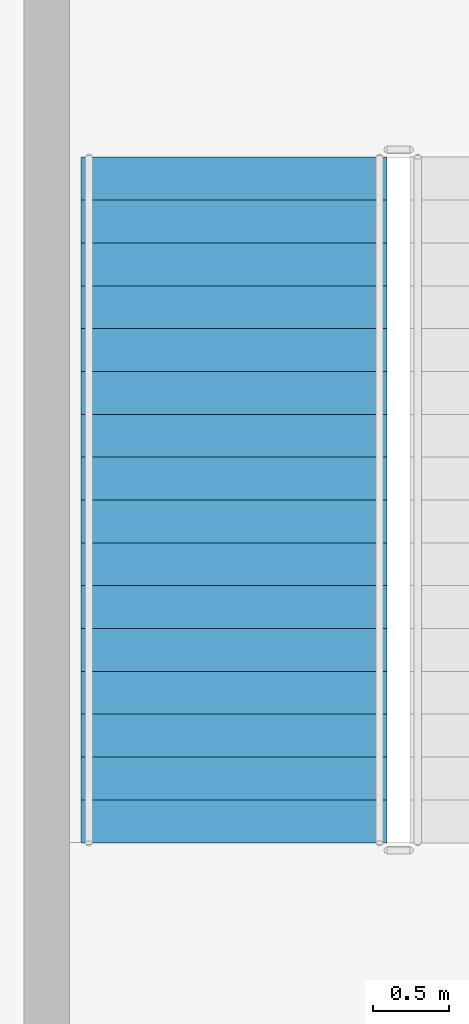
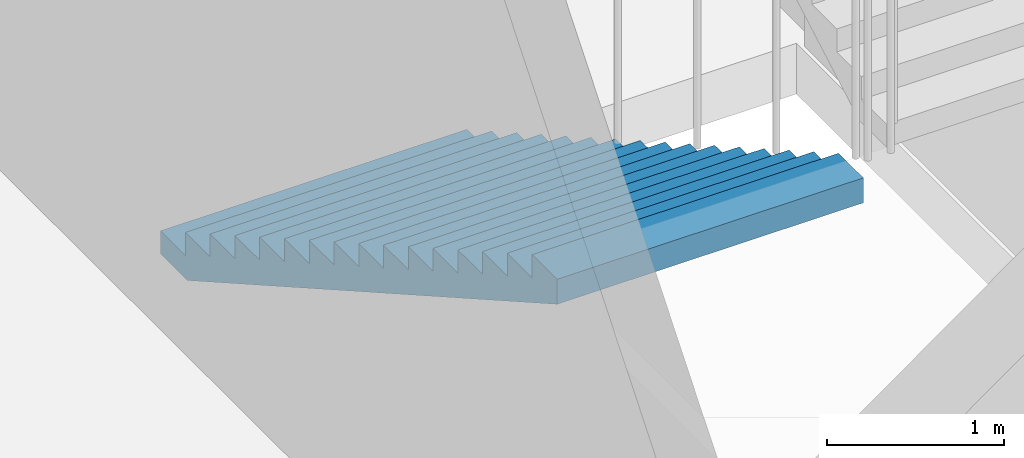
# One storey, part 14 of 18: 1 stair flight, 1 element without a shape of its own.
"""IFC4 building model written with IfcOpenShell, lengths in metres."""

import ifcopenshell
import ifcopenshell.guid

model = None  # the IFC model being written
_history = None  # IfcOwnerHistory: only IFC2X3 demands one
_inside = {}  # id of a spatial element -> (the spatial element, [elements in it])
_under = {}  # id of a project, library or spatial element -> (it, [spatial elements below it])
_declared = {}  # id of a project -> (the project, [libraries it declares])
_typed = {}  # id of a type object -> (the type object, [elements of that type])
_made_of = {}  # id of a material, layer set ... -> (it, [elements and type objects made of it])


def new_model(schema):
    """Start an empty IFC model of exactly this schema.

    Asked for "IFC4X3", IfcOpenShell would pick the latest addendum, in which some entities
    have other attributes; the version numbers below select the first issue.
    IFC2X3 requires an IfcOwnerHistory on every rooted entity: one is made here for all.
    """
    global model, _history
    if schema == "IFC4X3":
        model = ifcopenshell.file(schema_version=(4, 3, 0, 0))
    else:
        model = ifcopenshell.file(schema=schema)
    _inside.clear()
    _under.clear()
    _declared.clear()
    _typed.clear()
    _made_of.clear()
    _history = None
    if model.schema == "IFC2X3":
        org = make("IfcOrganization", Name="unknown")
        user = make(
            "IfcPersonAndOrganization",
            ThePerson=make("IfcPerson", FamilyName="unknown"),
            TheOrganization=org,
        )
        app = make(
            "IfcApplication",
            ApplicationDeveloper=org,
            Version="unknown",
            ApplicationFullName="unknown",
            ApplicationIdentifier="unknown",
        )
        _history = make(
            "IfcOwnerHistory",
            OwningUser=user,
            OwningApplication=app,
            ChangeAction="ADDED",
            CreationDate=0,
        )
    return model


def make(cls, **values):
    """One entity of the class cls with the attributes given. An attribute that is None is left unset."""
    return model.create_entity(
        cls, **{name: value for name, value in values.items() if value is not None}
    )


def rooted(cls, **values):
    """An entity with a GlobalId (a new one), such as an element, a storey or a relation."""
    return make(cls, GlobalId=ifcopenshell.guid.new(), OwnerHistory=_history, **values)


def si_unit(unit_type, name, prefix=None):
    """IfcSIUnit, for example si_unit("LENGTHUNIT", "METRE", prefix="MILLI")."""
    return make("IfcSIUnit", UnitType=unit_type, Prefix=prefix, Name=name)


def assignment(units):
    """IfcUnitAssignment: the units of a project."""
    return None if units is None else make("IfcUnitAssignment", Units=units)


def point(xyz):
    """IfcCartesianPoint."""
    return None if xyz is None else make("IfcCartesianPoint", Coordinates=xyz)


def direction(xyz):
    """IfcDirection."""
    return None if xyz is None else make("IfcDirection", DirectionRatios=xyz)


def frame(location, z_axis=None, x_axis=None):
    """IfcAxis2Placement3D, a coordinate frame: its origin and axes. An axis left out is left unset."""
    return make(
        "IfcAxis2Placement3D",
        Location=point(location),
        Axis=direction(z_axis),
        RefDirection=direction(x_axis),
    )


def origin():
    """The frame at (0, 0, 0) with its axes left unset."""
    return frame((0.0, 0.0, 0.0))


def place(relative_to, where):
    """IfcLocalPlacement: puts the frame where relative to a parent placement (None: the world)."""
    return make(
        "IfcLocalPlacement", PlacementRelTo=relative_to, RelativePlacement=where
    )


def context(
    kind, dimensions, precision=None, world=None, true_north=None, identifier=None
):
    """IfcGeometricRepresentationContext, for example the 3D "Model" context."""
    return make(
        "IfcGeometricRepresentationContext",
        ContextIdentifier=identifier,
        ContextType=kind,
        CoordinateSpaceDimension=dimensions,
        Precision=precision,
        WorldCoordinateSystem=world,
        TrueNorth=true_north,
    )


def subcontext(parent, identifier, kind, view, scale=None):
    """IfcGeometricRepresentationSubContext, for example "Body" below "Model"."""
    return make(
        "IfcGeometricRepresentationSubContext",
        ContextIdentifier=identifier,
        ContextType=kind,
        ParentContext=parent,
        TargetScale=scale,
        TargetView=view,
    )


def project(units=None, contexts=None):
    """IfcProject with its units and contexts."""
    return rooted(
        "IfcProject",
        Name="project",
        RepresentationContexts=contexts,
        UnitsInContext=assignment(units),
    )


def spatial(cls, under=None, at=None, **own):
    """A site, building, storey or space (cls), placed at a placement, below another one or the project."""
    s = rooted(cls, ObjectPlacement=at, **own)
    if under is not None:
        _under.setdefault(under.id(), (under, []))[1].append(s)
    return s


def point_list(points):
    """IfcCartesianPointList2D or 3D."""
    cls = (
        "IfcCartesianPointList2D" if len(points[0]) == 2 else "IfcCartesianPointList3D"
    )
    return make(cls, CoordList=points)


def polygons(points, faces, closed=None, point_numbers=None):
    """IfcPolygonalFaceSet: a face is its outer loop, then its inner loops; points numbered from 1."""
    made = []
    for loops in faces:
        if len(loops) == 1:
            made.append(make("IfcIndexedPolygonalFace", CoordIndex=loops[0]))
        else:
            made.append(
                make(
                    "IfcIndexedPolygonalFaceWithVoids",
                    CoordIndex=loops[0],
                    InnerCoordIndices=loops[1:],
                )
            )
    return make(
        "IfcPolygonalFaceSet",
        Coordinates=point_list(points),
        Closed=closed,
        Faces=made,
        PnIndex=point_numbers,
    )


def shape(context_of_items, identifier, shape_type, items):
    """IfcShapeRepresentation: the items that make up one representation, for example the "Body"."""
    return make(
        "IfcShapeRepresentation",
        ContextOfItems=context_of_items,
        RepresentationIdentifier=identifier,
        RepresentationType=shape_type,
        Items=items,
    )


def material(Name=None, Category=None):
    """IfcMaterial."""
    return make("IfcMaterial", Name=Name, Category=Category)


def made_of(thing, what):
    """Note that an element or type object is made of a material, layer set ...; save() writes the relation."""
    if what is not None:
        _made_of.setdefault(what.id(), (what, []))[1].append(thing)
    return thing


def type_object(cls, material=None, **own):
    """A type object (cls), such as IfcWallType, which elements share."""
    return made_of(rooted(cls, **own), material)


def element(
    cls,
    number,
    at=None,
    inside=None,
    cuts=None,
    type_object=None,
    material=None,
    context=None,
    identifier="Body",
    shape_type=None,
    held_by="IfcProductDefinitionShape",
    body=None,
    shapes=None,
    **own,
):
    """One element of the class cls, such as IfcWall. Its Tag is "e" and its number.

    at: its placement. inside: the storey or other place that contains it. cuts: it is an
    opening in that element (IfcRelVoidsElement). A single representation is given by context,
    identifier, shape_type and body (its items); several are given by shapes. held_by: the class
    of the entity that holds the representations. save() writes the other relations.
    """
    e = rooted(cls, Tag="e%d" % number, ObjectPlacement=at, **own)
    if body is not None:
        shapes = [shape(context, identifier, shape_type, body)]
    if shapes is not None:
        e.Representation = make(held_by, Representations=shapes)
    if inside is not None:
        _inside.setdefault(inside.id(), (inside, []))[1].append(e)
    if cuts is not None:
        rooted(
            "IfcRelVoidsElement", RelatingBuildingElement=cuts, RelatedOpeningElement=e
        )
    if type_object is not None:
        _typed.setdefault(type_object.id(), (type_object, []))[1].append(e)
    return made_of(e, material)


def aggregate(whole, parts):
    """IfcRelAggregates: a whole, such as a stair, and the parts it consists of."""
    return rooted("IfcRelAggregates", RelatingObject=whole, RelatedObjects=parts)


def save(model, path):
    """Write the relations noted so far, then the file.

    IfcRelAggregates (storeys below a building ...), IfcRelContainedInSpatialStructure (elements
    in a storey), IfcRelDefinesByType, IfcRelAssociatesMaterial and IfcRelDeclares: one each for
    every whole, place, type object, material and project.
    """
    for whole, parts in _under.values():
        aggregate(whole, parts)
    for where, things in _inside.values():
        rooted(
            "IfcRelContainedInSpatialStructure",
            RelatedElements=things,
            RelatingStructure=where,
        )
    for kind, things in _typed.values():
        rooted("IfcRelDefinesByType", RelatedObjects=things, RelatingType=kind)
    for what, things in _made_of.values():
        rooted("IfcRelAssociatesMaterial", RelatedObjects=things, RelatingMaterial=what)
    for by, libraries in _declared.values():
        rooted("IfcRelDeclares", RelatingContext=by, RelatedDefinitions=libraries)
    model.write(path)


model = new_model("IFC4")

# Units and contexts
model_context = context("Model", 3, precision=1e-05, world=origin(), true_north=direction((0.0, 1.0)))
body_context = subcontext(model_context, "Body", "Model", "MODEL_VIEW")
ifc_project = project(units=[si_unit("LENGTHUNIT", "METRE"), si_unit("AREAUNIT", "SQUARE_METRE"), si_unit("VOLUMEUNIT", "CUBIC_METRE"), si_unit("PLANEANGLEUNIT", "RADIAN"), si_unit("MASSUNIT", "GRAM", prefix="KILO")], contexts=[model_context])

# Site, building, storey
site_placement = place(None, origin())
site = spatial("IfcSite", under=ifc_project, at=site_placement, CompositionType="ELEMENT")
building_placement = place(site_placement, origin())
building = spatial("IfcBuilding", under=site, at=building_placement, Name="Caravel Reach Hotel and Residences", CompositionType="ELEMENT")
storey_placement = place(building_placement, frame((0.0, 0.0, 145.199951171875)))
storey = spatial("IfcBuildingStorey", under=building, at=storey_placement, Name="L36", CompositionType="ELEMENT", Elevation=145.199951171875)

# Stair, stair flight
ifc_material_1 = material(Name="Concrete C40", Category="concrete")
stair_type = type_object("IfcStairType", Name="Core stair", PredefinedType="HALF_TURN_STAIR", material=ifc_material_1)
stair_placement = place(storey_placement, origin())
stair = element("IfcStair", 1, at=stair_placement, inside=storey, type_object=stair_type, Name="L36 Exit stair A", PredefinedType="HALF_TURN_STAIR")
ifc_material_2 = material(Name="Concrete C40", Category="concrete")
stair_flight_type = type_object("IfcStairFlightType", Name="Core stair flight", PredefinedType="STRAIGHT", material=ifc_material_2)
stair_flight_placement = place(storey_placement, frame((19.22509765625, 29.35009765625, 0.0), z_axis=(0.0, 0.0, 1.0), x_axis=(0.0, -1.0, 0.0)))
stair_flight = element("IfcStairFlight", 2, at=stair_flight_placement, type_object=stair_flight_type, Name="ST-A flight 1", NumberOfRisers=17, NumberOfTreads=16, PredefinedType="STRAIGHT", RiserHeight=0.158823529, TreadLength=0.28, context=body_context, shape_type="Tessellation", body=[
    polygons([(0.30382651472380307, 1.0, 0.0), (0.30382651472380307, 0.6666666666666667, 0.0), (0.30382651472380307, 0.33333333333333337, 0.0), (0.30382651472380307, 0.0, 0.0), (0.30382651472380307, -0.33333333333333326, 0.0), (0.30382651472380307, -0.6666666666666667, 0.0), (0.30382651472380307, -1.0, 0.0), (4.481000000000001, 1.0, 2.3688378951706968), (4.481000000000001, 0.6666666666666667, 2.3688378951706968), (4.481000000000001, 0.33333333333333337, 2.3688378951706968), (4.481000000000001, 0.0, 2.3688378951706968), (4.481000000000001, -0.33333333333333326, 2.3688378951706968), (4.481000000000001, -0.6666666666666667, 2.3688378951706968), (4.481000000000001, -1.0, 2.3688378951706968), (4.481000000000001, 1.0, 2.541176464), (4.481000000000001, 0.6666666666666667, 2.541176464), (4.481000000000001, 0.33333333333333337, 2.541176464), (4.481000000000001, 0.0, 2.541176464), (4.481000000000001, -0.33333333333333326, 2.541176464), (4.481000000000001, -0.6666666666666667, 2.541176464), (4.481000000000001, -1.0, 2.541176464), (4.2, 1.0, 2.541176464), (4.2, 0.6666666666666667, 2.541176464), (4.2, 0.33333333333333337, 2.541176464), (4.2, 0.0, 2.541176464), (4.2, -0.33333333333333326, 2.541176464), (4.2, -0.6666666666666667, 2.541176464), (4.2, -1.0, 2.541176464), (4.2, 1.0, 2.3823529349999997), (4.2, 0.6666666666666667, 2.3823529349999997), (4.2, 0.33333333333333337, 2.3823529349999997), (4.2, 0.0, 2.3823529349999997), (4.2, -0.33333333333333326, 2.3823529349999997), (4.2, -0.6666666666666667, 2.3823529349999997), (4.2, -1.0, 2.3823529349999997), (3.9200000000000004, 1.0, 2.3823529349999997), (3.9200000000000004, 0.6666666666666667, 2.3823529349999997), (3.9200000000000004, 0.33333333333333337, 2.3823529349999997), (3.9200000000000004, 0.0, 2.3823529349999997), (3.9200000000000004, -0.33333333333333326, 2.3823529349999997), (3.9200000000000004, -0.6666666666666667, 2.3823529349999997), (3.9200000000000004, -1.0, 2.3823529349999997), (3.9200000000000004, 1.0, 2.223529406), (3.9200000000000004, 0.6666666666666667, 2.223529406), (3.9200000000000004, 0.33333333333333337, 2.223529406), (3.9200000000000004, 0.0, 2.223529406), (3.9200000000000004, -0.33333333333333326, 2.223529406), (3.9200000000000004, -0.6666666666666667, 2.223529406), (3.9200000000000004, -1.0, 2.223529406), (3.6400000000000006, 1.0, 2.223529406), (3.6400000000000006, 0.6666666666666667, 2.223529406), (3.6400000000000006, 0.33333333333333337, 2.223529406), (3.6400000000000006, 0.0, 2.223529406), (3.6400000000000006, -0.33333333333333326, 2.223529406), (3.6400000000000006, -0.6666666666666667, 2.223529406), (3.6400000000000006, -1.0, 2.223529406), (3.6400000000000006, 1.0, 2.0647058769999997), (3.6400000000000006, 0.6666666666666667, 2.0647058769999997), (3.6400000000000006, 0.33333333333333337, 2.0647058769999997), (3.6400000000000006, 0.0, 2.0647058769999997), (3.6400000000000006, -0.33333333333333326, 2.0647058769999997), (3.6400000000000006, -0.6666666666666667, 2.0647058769999997), (3.6400000000000006, -1.0, 2.0647058769999997), (3.3600000000000003, 1.0, 2.0647058769999997), (3.3600000000000003, 0.6666666666666667, 2.0647058769999997), (3.3600000000000003, 0.33333333333333337, 2.0647058769999997), (3.3600000000000003, 0.0, 2.0647058769999997), (3.3600000000000003, -0.33333333333333326, 2.0647058769999997), (3.3600000000000003, -0.6666666666666667, 2.0647058769999997), (3.3600000000000003, -1.0, 2.0647058769999997), (3.3600000000000003, 1.0, 1.905882348), (3.3600000000000003, 0.6666666666666667, 1.905882348), (3.3600000000000003, 0.33333333333333337, 1.905882348), (3.3600000000000003, 0.0, 1.905882348), (3.3600000000000003, -0.33333333333333326, 1.905882348), (3.3600000000000003, -0.6666666666666667, 1.905882348), (3.3600000000000003, -1.0, 1.905882348), (3.08, 1.0, 1.905882348), (3.08, 0.6666666666666667, 1.905882348), (3.08, 0.33333333333333337, 1.905882348), (3.08, 0.0, 1.905882348), (3.08, -0.33333333333333326, 1.905882348), (3.08, -0.6666666666666667, 1.905882348), (3.08, -1.0, 1.905882348), (3.08, 1.0, 1.7470588189999998), (3.08, 0.6666666666666667, 1.7470588189999998), (3.08, 0.33333333333333337, 1.7470588189999998), (3.08, 0.0, 1.7470588189999998), (3.08, -0.33333333333333326, 1.7470588189999998), (3.08, -0.6666666666666667, 1.7470588189999998), (3.08, -1.0, 1.7470588189999998), (2.8000000000000003, 1.0, 1.7470588189999998), (2.8000000000000003, 0.6666666666666667, 1.7470588189999998), (2.8000000000000003, 0.33333333333333337, 1.7470588189999998), (2.8000000000000003, 0.0, 1.7470588189999998), (2.8000000000000003, -0.33333333333333326, 1.7470588189999998), (2.8000000000000003, -0.6666666666666667, 1.7470588189999998), (2.8000000000000003, -1.0, 1.7470588189999998), (2.8000000000000003, 1.0, 1.5882352899999999), (2.8000000000000003, 0.6666666666666667, 1.5882352899999999), (2.8000000000000003, 0.33333333333333337, 1.5882352899999999), (2.8000000000000003, 0.0, 1.5882352899999999), (2.8000000000000003, -0.33333333333333326, 1.5882352899999999), (2.8000000000000003, -0.6666666666666667, 1.5882352899999999), (2.8000000000000003, -1.0, 1.5882352899999999), (2.5200000000000005, 1.0, 1.5882352899999999), (2.5200000000000005, 0.6666666666666667, 1.5882352899999999), (2.5200000000000005, 0.33333333333333337, 1.5882352899999999), (2.5200000000000005, 0.0, 1.5882352899999999), (2.5200000000000005, -0.33333333333333326, 1.5882352899999999), (2.5200000000000005, -0.6666666666666667, 1.5882352899999999), (2.5200000000000005, -1.0, 1.5882352899999999), (2.5200000000000005, 1.0, 1.429411761), (2.5200000000000005, 0.6666666666666667, 1.429411761), (2.5200000000000005, 0.33333333333333337, 1.429411761), (2.5200000000000005, 0.0, 1.429411761), (2.5200000000000005, -0.33333333333333326, 1.429411761), (2.5200000000000005, -0.6666666666666667, 1.429411761), (2.5200000000000005, -1.0, 1.429411761), (2.24, 1.0, 1.429411761), (2.24, 0.6666666666666667, 1.429411761), (2.24, 0.33333333333333337, 1.429411761), (2.24, 0.0, 1.429411761), (2.24, -0.33333333333333326, 1.429411761), (2.24, -0.6666666666666667, 1.429411761), (2.24, -1.0, 1.429411761), (2.24, 1.0, 1.270588232), (2.24, 0.6666666666666667, 1.270588232), (2.24, 0.33333333333333337, 1.270588232), (2.24, 0.0, 1.270588232), (2.24, -0.33333333333333326, 1.270588232), (2.24, -0.6666666666666667, 1.270588232), (2.24, -1.0, 1.270588232), (1.9600000000000002, 1.0, 1.270588232), (1.9600000000000002, 0.6666666666666667, 1.270588232), (1.9600000000000002, 0.33333333333333337, 1.270588232), (1.9600000000000002, 0.0, 1.270588232), (1.9600000000000002, -0.33333333333333326, 1.270588232), (1.9600000000000002, -0.6666666666666667, 1.270588232), (1.9600000000000002, -1.0, 1.270588232), (1.9600000000000002, 1.0, 1.111764703), (1.9600000000000002, 0.6666666666666667, 1.111764703), (1.9600000000000002, 0.33333333333333337, 1.111764703), (1.9600000000000002, 0.0, 1.111764703), (1.9600000000000002, -0.33333333333333326, 1.111764703), (1.9600000000000002, -0.6666666666666667, 1.111764703), (1.9600000000000002, -1.0, 1.111764703), (1.6800000000000002, 1.0, 1.111764703), (1.6800000000000002, 0.6666666666666667, 1.111764703), (1.6800000000000002, 0.33333333333333337, 1.111764703), (1.6800000000000002, 0.0, 1.111764703), (1.6800000000000002, -0.33333333333333326, 1.111764703), (1.6800000000000002, -0.6666666666666667, 1.111764703), (1.6800000000000002, -1.0, 1.111764703), (1.6800000000000002, 1.0, 0.952941174), (1.6800000000000002, 0.6666666666666667, 0.952941174), (1.6800000000000002, 0.33333333333333337, 0.952941174), (1.6800000000000002, 0.0, 0.952941174), (1.6800000000000002, -0.33333333333333326, 0.952941174), (1.6800000000000002, -0.6666666666666667, 0.952941174), (1.6800000000000002, -1.0, 0.952941174), (1.4000000000000001, 1.0, 0.952941174), (1.4000000000000001, 0.6666666666666667, 0.952941174), (1.4000000000000001, 0.33333333333333337, 0.952941174), (1.4000000000000001, 0.0, 0.952941174), (1.4000000000000001, -0.33333333333333326, 0.952941174), (1.4000000000000001, -0.6666666666666667, 0.952941174), (1.4000000000000001, -1.0, 0.952941174), (1.4000000000000001, 1.0, 0.7941176449999999), (1.4000000000000001, 0.6666666666666667, 0.7941176449999999), (1.4000000000000001, 0.33333333333333337, 0.7941176449999999), (1.4000000000000001, 0.0, 0.7941176449999999), (1.4000000000000001, -0.33333333333333326, 0.7941176449999999), (1.4000000000000001, -0.6666666666666667, 0.7941176449999999), (1.4000000000000001, -1.0, 0.7941176449999999), (1.12, 1.0, 0.7941176449999999), (1.12, 0.6666666666666667, 0.7941176449999999), (1.12, 0.33333333333333337, 0.7941176449999999), (1.12, 0.0, 0.7941176449999999), (1.12, -0.33333333333333326, 0.7941176449999999), (1.12, -0.6666666666666667, 0.7941176449999999), (1.12, -1.0, 0.7941176449999999), (1.12, 1.0, 0.635294116), (1.12, 0.6666666666666667, 0.635294116), (1.12, 0.33333333333333337, 0.635294116), (1.12, 0.0, 0.635294116), (1.12, -0.33333333333333326, 0.635294116), (1.12, -0.6666666666666667, 0.635294116), (1.12, -1.0, 0.635294116), (0.8400000000000001, 1.0, 0.635294116), (0.8400000000000001, 0.6666666666666667, 0.635294116), (0.8400000000000001, 0.33333333333333337, 0.635294116), (0.8400000000000001, 0.0, 0.635294116), (0.8400000000000001, -0.33333333333333326, 0.635294116), (0.8400000000000001, -0.6666666666666667, 0.635294116), (0.8400000000000001, -1.0, 0.635294116), (0.8400000000000001, 1.0, 0.476470587), (0.8400000000000001, 0.6666666666666667, 0.476470587), (0.8400000000000001, 0.33333333333333337, 0.476470587), (0.8400000000000001, 0.0, 0.476470587), (0.8400000000000001, -0.33333333333333326, 0.476470587), (0.8400000000000001, -0.6666666666666667, 0.476470587), (0.8400000000000001, -1.0, 0.476470587), (0.56, 1.0, 0.476470587), (0.56, 0.6666666666666667, 0.476470587), (0.56, 0.33333333333333337, 0.476470587), (0.56, 0.0, 0.476470587), (0.56, -0.33333333333333326, 0.476470587), (0.56, -0.6666666666666667, 0.476470587), (0.56, -1.0, 0.476470587), (0.56, 1.0, 0.317647058), (0.56, 0.6666666666666667, 0.317647058), (0.56, 0.33333333333333337, 0.317647058), (0.56, 0.0, 0.317647058), (0.56, -0.33333333333333326, 0.317647058), (0.56, -0.6666666666666667, 0.317647058), (0.56, -1.0, 0.317647058), (0.28, 1.0, 0.317647058), (0.28, 0.6666666666666667, 0.317647058), (0.28, 0.33333333333333337, 0.317647058), (0.28, 0.0, 0.317647058), (0.28, -0.33333333333333326, 0.317647058), (0.28, -0.6666666666666667, 0.317647058), (0.28, -1.0, 0.317647058), (0.28, 1.0, 0.158823529), (0.28, 0.6666666666666667, 0.158823529), (0.28, 0.33333333333333337, 0.158823529), (0.28, 0.0, 0.158823529), (0.28, -0.33333333333333326, 0.158823529), (0.28, -0.6666666666666667, 0.158823529), (0.28, -1.0, 0.158823529), (-0.001, 1.0, 0.158823529), (-0.001, 0.6666666666666667, 0.158823529), (-0.001, 0.33333333333333337, 0.158823529), (-0.001, 0.0, 0.158823529), (-0.001, -0.33333333333333326, 0.158823529), (-0.001, -0.6666666666666667, 0.158823529), (-0.001, -1.0, 0.158823529), (-0.001, 1.0, 0.0), (-0.001, 0.6666666666666667, 0.0), (-0.001, 0.33333333333333337, 0.0), (-0.001, 0.0, 0.0), (-0.001, -0.33333333333333326, 0.0), (-0.001, -0.6666666666666667, 0.0), (-0.001, -1.0, 0.0)], [[[239, 232, 225, 218, 211, 204, 197, 190, 183, 176, 169, 162, 155, 148, 141, 134, 127, 120, 113, 106, 99, 92, 85, 78, 71, 64, 57, 50, 43, 36, 29, 22, 15, 8, 1]], [[7, 14, 21, 28, 35, 42, 49, 56, 63, 70, 77, 84, 91, 98, 105, 112, 119, 126, 133, 140, 147, 154, 161, 168, 175, 182, 189, 196, 203, 210, 217, 224, 231, 238, 245]], [[1, 8, 9, 2]], [[2, 9, 10, 3]], [[3, 10, 11, 4]], [[4, 11, 12, 5]], [[5, 12, 13, 6]], [[6, 13, 14, 7]], [[8, 15, 16, 9]], [[9, 16, 17, 10]], [[10, 17, 18, 11]], [[11, 18, 19, 12]], [[12, 19, 20, 13]], [[13, 20, 21, 14]], [[15, 22, 23, 16]], [[16, 23, 24, 17]], [[17, 24, 25, 18]], [[18, 25, 26, 19]], [[19, 26, 27, 20]], [[20, 27, 28, 21]], [[22, 29, 30, 23]], [[23, 30, 31, 24]], [[24, 31, 32, 25]], [[25, 32, 33, 26]], [[26, 33, 34, 27]], [[27, 34, 35, 28]], [[29, 36, 37, 30]], [[30, 37, 38, 31]], [[31, 38, 39, 32]], [[32, 39, 40, 33]], [[33, 40, 41, 34]], [[34, 41, 42, 35]], [[36, 43, 44, 37]], [[37, 44, 45, 38]], [[38, 45, 46, 39]], [[39, 46, 47, 40]], [[40, 47, 48, 41]], [[41, 48, 49, 42]], [[43, 50, 51, 44]], [[44, 51, 52, 45]], [[45, 52, 53, 46]], [[46, 53, 54, 47]], [[47, 54, 55, 48]], [[48, 55, 56, 49]], [[50, 57, 58, 51]], [[51, 58, 59, 52]], [[52, 59, 60, 53]], [[53, 60, 61, 54]], [[54, 61, 62, 55]], [[55, 62, 63, 56]], [[57, 64, 65, 58]], [[58, 65, 66, 59]], [[59, 66, 67, 60]], [[60, 67, 68, 61]], [[61, 68, 69, 62]], [[62, 69, 70, 63]], [[64, 71, 72, 65]], [[65, 72, 73, 66]], [[66, 73, 74, 67]], [[67, 74, 75, 68]], [[68, 75, 76, 69]], [[69, 76, 77, 70]], [[71, 78, 79, 72]], [[72, 79, 80, 73]], [[73, 80, 81, 74]], [[74, 81, 82, 75]], [[75, 82, 83, 76]], [[76, 83, 84, 77]], [[78, 85, 86, 79]], [[79, 86, 87, 80]], [[80, 87, 88, 81]], [[81, 88, 89, 82]], [[82, 89, 90, 83]], [[83, 90, 91, 84]], [[85, 92, 93, 86]], [[86, 93, 94, 87]], [[87, 94, 95, 88]], [[88, 95, 96, 89]], [[89, 96, 97, 90]], [[90, 97, 98, 91]], [[92, 99, 100, 93]], [[93, 100, 101, 94]], [[94, 101, 102, 95]], [[95, 102, 103, 96]], [[96, 103, 104, 97]], [[97, 104, 105, 98]], [[99, 106, 107, 100]], [[100, 107, 108, 101]], [[101, 108, 109, 102]], [[102, 109, 110, 103]], [[103, 110, 111, 104]], [[104, 111, 112, 105]], [[106, 113, 114, 107]], [[107, 114, 115, 108]], [[108, 115, 116, 109]], [[109, 116, 117, 110]], [[110, 117, 118, 111]], [[111, 118, 119, 112]], [[113, 120, 121, 114]], [[114, 121, 122, 115]], [[115, 122, 123, 116]], [[116, 123, 124, 117]], [[117, 124, 125, 118]], [[118, 125, 126, 119]], [[120, 127, 128, 121]], [[121, 128, 129, 122]], [[122, 129, 130, 123]], [[123, 130, 131, 124]], [[124, 131, 132, 125]], [[125, 132, 133, 126]], [[127, 134, 135, 128]], [[128, 135, 136, 129]], [[129, 136, 137, 130]], [[130, 137, 138, 131]], [[131, 138, 139, 132]], [[132, 139, 140, 133]], [[134, 141, 142, 135]], [[135, 142, 143, 136]], [[136, 143, 144, 137]], [[137, 144, 145, 138]], [[138, 145, 146, 139]], [[139, 146, 147, 140]], [[141, 148, 149, 142]], [[142, 149, 150, 143]], [[143, 150, 151, 144]], [[144, 151, 152, 145]], [[145, 152, 153, 146]], [[146, 153, 154, 147]], [[148, 155, 156, 149]], [[149, 156, 157, 150]], [[150, 157, 158, 151]], [[151, 158, 159, 152]], [[152, 159, 160, 153]], [[153, 160, 161, 154]], [[155, 162, 163, 156]], [[156, 163, 164, 157]], [[157, 164, 165, 158]], [[158, 165, 166, 159]], [[159, 166, 167, 160]], [[160, 167, 168, 161]], [[162, 169, 170, 163]], [[163, 170, 171, 164]], [[164, 171, 172, 165]], [[165, 172, 173, 166]], [[166, 173, 174, 167]], [[167, 174, 175, 168]], [[169, 176, 177, 170]], [[170, 177, 178, 171]], [[171, 178, 179, 172]], [[172, 179, 180, 173]], [[173, 180, 181, 174]], [[174, 181, 182, 175]], [[176, 183, 184, 177]], [[177, 184, 185, 178]], [[178, 185, 186, 179]], [[179, 186, 187, 180]], [[180, 187, 188, 181]], [[181, 188, 189, 182]], [[183, 190, 191, 184]], [[184, 191, 192, 185]], [[185, 192, 193, 186]], [[186, 193, 194, 187]], [[187, 194, 195, 188]], [[188, 195, 196, 189]], [[190, 197, 198, 191]], [[191, 198, 199, 192]], [[192, 199, 200, 193]], [[193, 200, 201, 194]], [[194, 201, 202, 195]], [[195, 202, 203, 196]], [[197, 204, 205, 198]], [[198, 205, 206, 199]], [[199, 206, 207, 200]], [[200, 207, 208, 201]], [[201, 208, 209, 202]], [[202, 209, 210, 203]], [[204, 211, 212, 205]], [[205, 212, 213, 206]], [[206, 213, 214, 207]], [[207, 214, 215, 208]], [[208, 215, 216, 209]], [[209, 216, 217, 210]], [[211, 218, 219, 212]], [[212, 219, 220, 213]], [[213, 220, 221, 214]], [[214, 221, 222, 215]], [[215, 222, 223, 216]], [[216, 223, 224, 217]], [[218, 225, 226, 219]], [[219, 226, 227, 220]], [[220, 227, 228, 221]], [[221, 228, 229, 222]], [[222, 229, 230, 223]], [[223, 230, 231, 224]], [[225, 232, 233, 226]], [[226, 233, 234, 227]], [[227, 234, 235, 228]], [[228, 235, 236, 229]], [[229, 236, 237, 230]], [[230, 237, 238, 231]], [[232, 239, 240, 233]], [[233, 240, 241, 234]], [[234, 241, 242, 235]], [[235, 242, 243, 236]], [[236, 243, 244, 237]], [[237, 244, 245, 238]], [[239, 1, 2, 240]], [[240, 2, 3, 241]], [[241, 3, 4, 242]], [[242, 4, 5, 243]], [[243, 5, 6, 244]], [[244, 6, 7, 245]]], closed=True),
])
aggregate(stair, [stair_flight])

save(model, "model.ifc")
